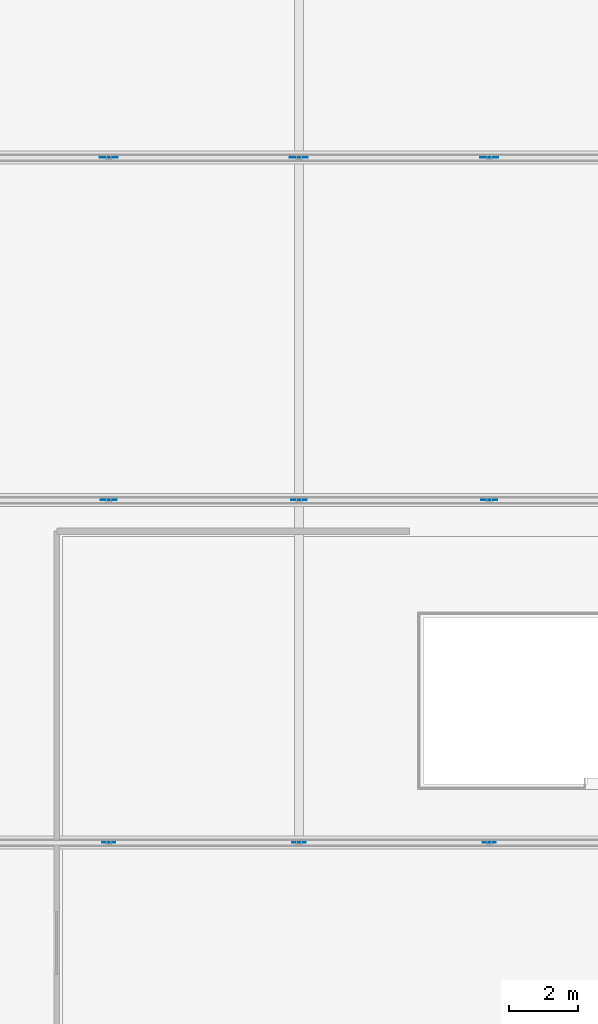
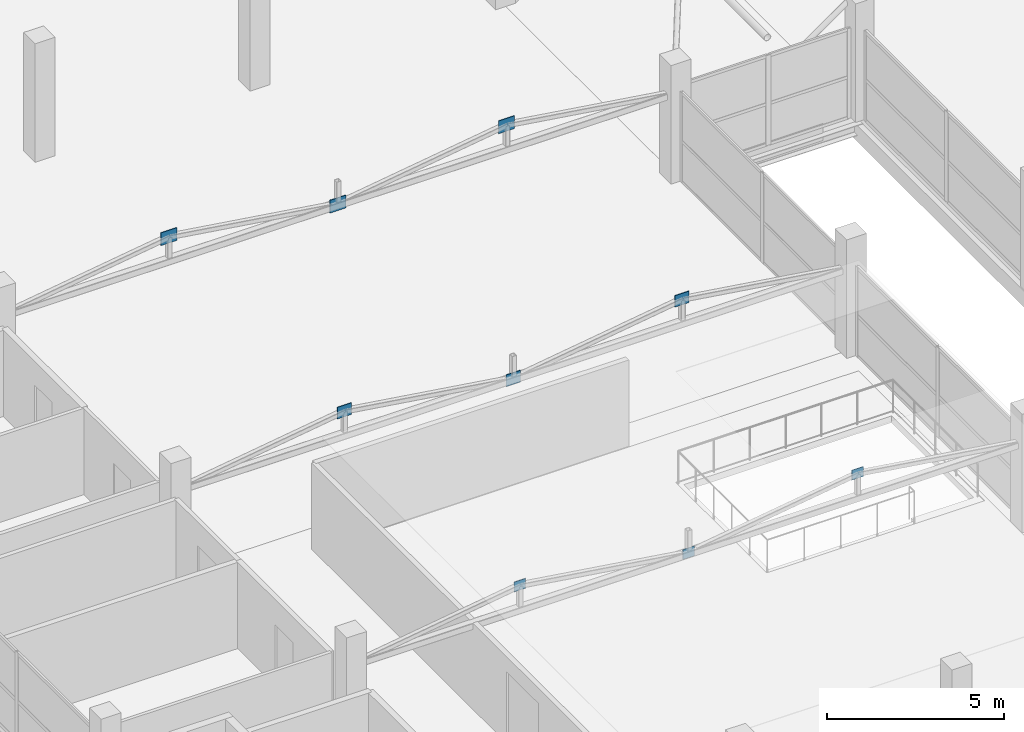
# One storey, part 55 of 66: 9 plates.
"""IFC4 building model written with IfcOpenShell, lengths in metres."""

from ifc_helpers import new_model, si_unit, direction, frame, origin, origin_2d, place, context, subcontext, project, spatial, rectangle, extrude, material, layer, layer_set, type_object, element, save


model = new_model("IFC4")

# Units and contexts
model_context = context("Model", 3, precision=1e-05, world=origin(), true_north=direction((0.0, 1.0)))
body_context = subcontext(model_context, "Body", "Model", "MODEL_VIEW")
ifc_project = project(units=[si_unit("LENGTHUNIT", "METRE"), si_unit("AREAUNIT", "SQUARE_METRE"), si_unit("VOLUMEUNIT", "CUBIC_METRE"), si_unit("PLANEANGLEUNIT", "RADIAN"), si_unit("MASSUNIT", "GRAM", prefix="KILO")], contexts=[model_context])

# Site, building, storey
site_placement = place(None, origin())
site = spatial("IfcSite", under=ifc_project, at=site_placement, CompositionType="ELEMENT")
building_placement = place(site_placement, origin())
building = spatial("IfcBuilding", under=site, at=building_placement, Name="Sillaruma Civic Art Gallery", CompositionType="ELEMENT")
storey_placement = place(building_placement, frame((0.0, 0.0, 62.219970703125)))
storey = spatial("IfcBuildingStorey", under=building, at=storey_placement, Name="L12", CompositionType="ELEMENT", Elevation=62.219970703125)

# Plates
ifc_material = material(Name="Structural Steel ASTM A992 Gr.50", Category="steel")
ifc_layer_1 = layer(ifc_material, 0.01611328125, Name="Structural Steel ASTM A992 Gr.50")
ifc_layer_set_1 = layer_set([ifc_layer_1], Name="Structural Steel ASTM A992 Gr.50")
plate_type_1 = type_object("IfcPlateType", Name="PLT-GUS-16", PredefinedType="SHEET", material=ifc_layer_set_1)
for number, where, z_axis, x_axis, name in (
    (1, (75.5, 49.5, 3.498046875), (0.0, 0.0, 1.0), (1.0, 0.0, 0.0), "Truss Gusset Plate GP-05 (TR-L12-1-1)"),
    (2, (81.0, 49.5, 2.68994140625), (0.0, 0.0, 1.0), (1.0, 0.0, 0.0), "Truss Gusset Plate GP-05 (TR-L12-1-2)"),
    (3, (86.5, 49.5, 3.498046875), (0.0, 0.0, 1.0), (1.0, 0.0, 0.0), "Truss Gusset Plate GP-05 (TR-L12-1-3)"),
):
    element("IfcPlate", number, at=place(storey_placement, frame(where, z_axis=z_axis, x_axis=x_axis)), inside=storey, type_object=plate_type_1, Name=name, PredefinedType="SHEET", context=body_context, shape_type="SweptSolid", body=[
        extrude(rectangle(XDim=0.3798828125, YDim=0.01611328125, at=origin_2d()), origin(), (0.0, 0.0, 1.0), 0.340087890625),
    ])
ifc_layer_2 = layer(ifc_material, 0.02001953125, Name="Structural Steel ASTM A992 Gr.50")
ifc_layer_set_2 = layer_set([ifc_layer_2], Name="Structural Steel ASTM A992 Gr.50")
plate_type_2 = type_object("IfcPlateType", Name="PLT-GUS-20", PredefinedType="SHEET", material=ifc_layer_set_2)
for number, where, z_axis, x_axis, name in (
    (4, (75.5, 59.39990234375, 3.468017578125), (0.0, 0.0, 1.0), (1.0, 0.0, 0.0), "Truss Gusset Plate GP-01 (TR-L12-2-1)"),
    (5, (81.0, 59.39990234375, 2.66015625), (0.0, 0.0, 1.0), (1.0, 0.0, 0.0), "Truss Gusset Plate GP-01 (TR-L12-2-2)"),
    (6, (86.5, 59.39990234375, 3.468017578125), (0.0, 0.0, 1.0), (1.0, 0.0, 0.0), "Truss Gusset Plate GP-01 (TR-L12-2-3)"),
):
    element("IfcPlate", number, at=place(storey_placement, frame(where, z_axis=z_axis, x_axis=x_axis)), inside=storey, type_object=plate_type_2, Name=name, PredefinedType="SHEET", context=body_context, shape_type="SweptSolid", body=[
        extrude(rectangle(XDim=0.4599609375, YDim=0.02001953125, at=origin_2d()), origin(), (0.0, 0.0, 1.0), 0.39990234375),
    ])
ifc_layer_3 = layer(ifc_material, 0.02392578125, Name="Structural Steel ASTM A992 Gr.50")
ifc_layer_set_3 = layer_set([ifc_layer_3], Name="Structural Steel ASTM A992 Gr.50")
plate_type_3 = type_object("IfcPlateType", Name="PLT-GUS-24", PredefinedType="SHEET", material=ifc_layer_set_3)
for number, where, z_axis, x_axis, name in (
    (7, (75.5, 69.300048828125, 3.447998046875), (0.0, 0.0, 1.0), (1.0, 0.0, 0.0), "Truss Gusset Plate GP-02 (TR-L12-3-1)"),
    (8, (81.0, 69.300048828125, 2.64013671875), (0.0, 0.0, 1.0), (1.0, 0.0, 0.0), "Truss Gusset Plate GP-02 (TR-L12-3-2)"),
    (9, (86.5, 69.300048828125, 3.447998046875), (0.0, 0.0, 1.0), (1.0, 0.0, 0.0), "Truss Gusset Plate GP-02 (TR-L12-3-3)"),
):
    element("IfcPlate", number, at=place(storey_placement, frame(where, z_axis=z_axis, x_axis=x_axis)), inside=storey, type_object=plate_type_3, Name=name, PredefinedType="SHEET", context=body_context, shape_type="SweptSolid", body=[
        extrude(rectangle(XDim=0.52001953125, YDim=0.02392578125, at=origin_2d()), origin(), (0.0, 0.0, 1.0), 0.43994140625),
    ])

save(model, "model.ifc")
